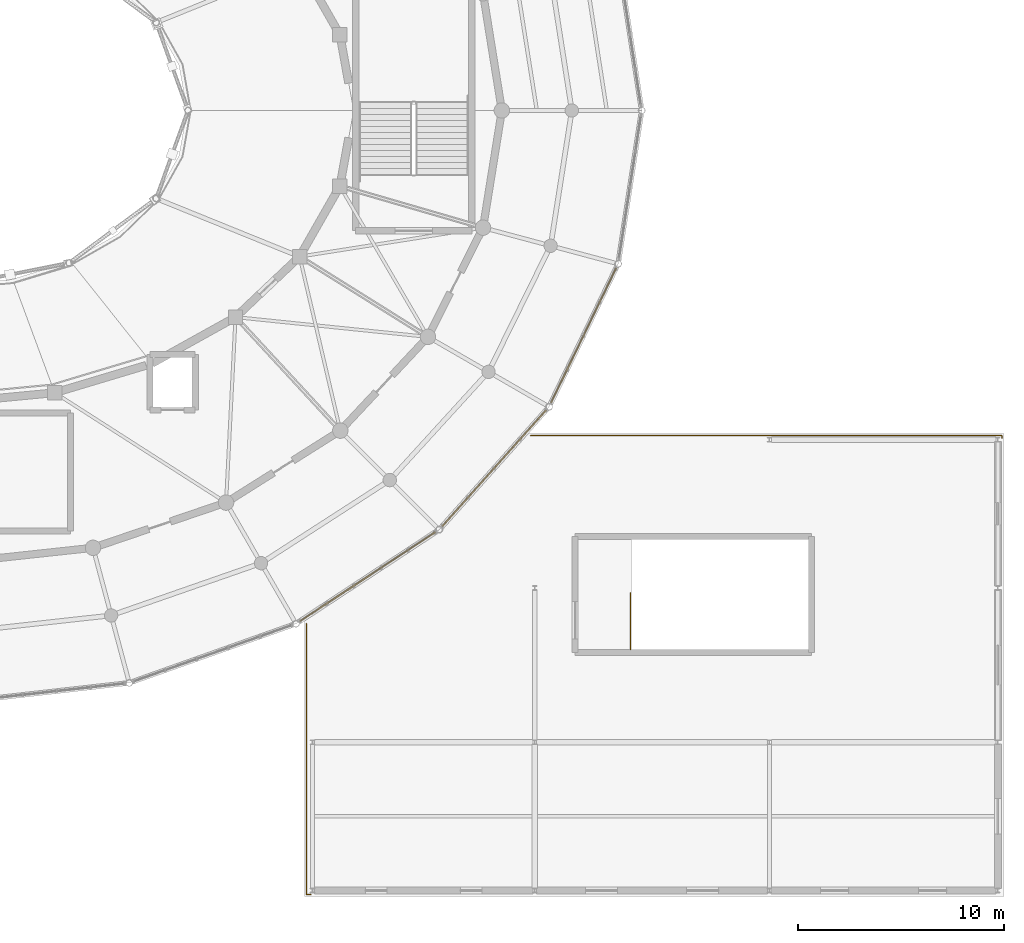
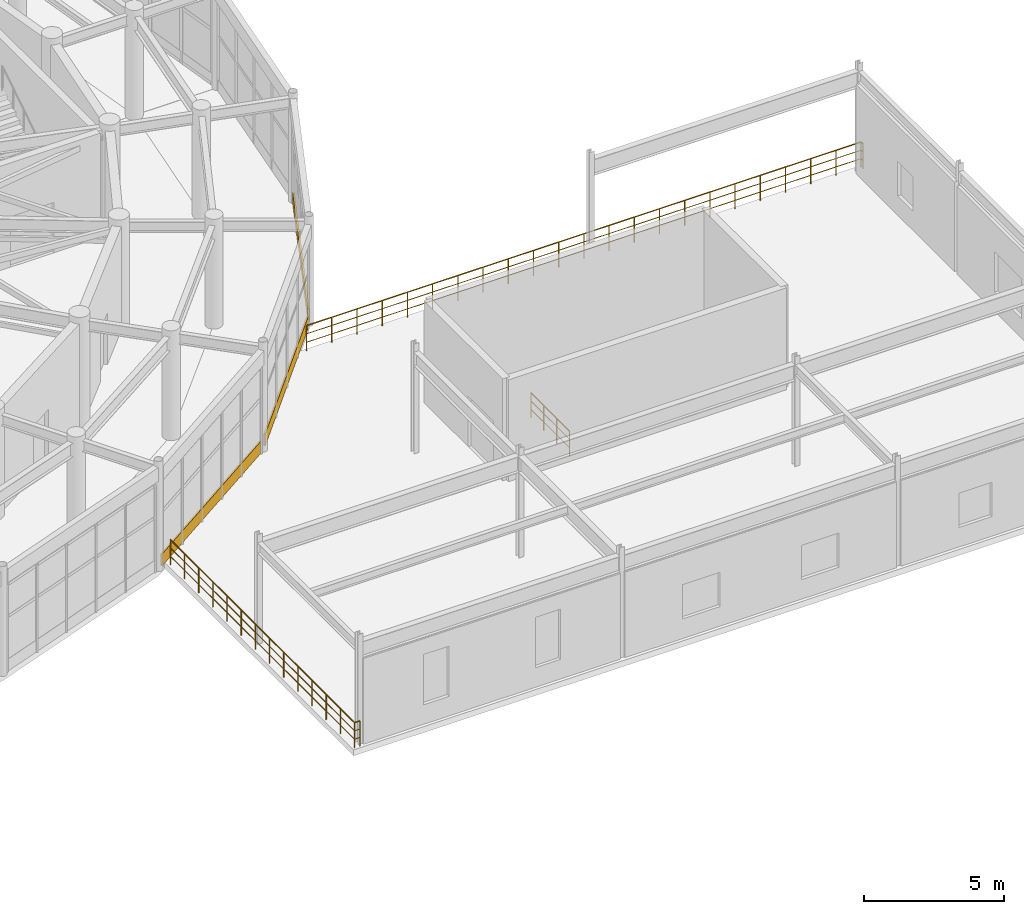
# One storey, part 142 of 144: 5 railings, 3 coverings.
"""IFC4 building model written with IfcOpenShell, lengths in metres."""

from ifc_helpers import new_model, si_unit, direction, frame, origin, origin_2d, place, context, subcontext, project, spatial, rectangle, circle, extrude, material, layer, layer_set, type_object, element, save


model = new_model("IFC4")

# Units and contexts
model_context = context("Model", 3, precision=1e-05, world=origin(), true_north=direction((0.0, 1.0)))
body_context = subcontext(model_context, "Body", "Model", "MODEL_VIEW")
ifc_project = project(units=[si_unit("LENGTHUNIT", "METRE"), si_unit("AREAUNIT", "SQUARE_METRE"), si_unit("VOLUMEUNIT", "CUBIC_METRE"), si_unit("PLANEANGLEUNIT", "RADIAN"), si_unit("MASSUNIT", "GRAM", prefix="KILO")], contexts=[model_context])

# Site, building, storey
site_placement = place(None, origin())
site = spatial("IfcSite", under=ifc_project, at=site_placement, CompositionType="ELEMENT")
building_placement = place(site_placement, origin())
building = spatial("IfcBuilding", under=site, at=building_placement, Name="Cinderbank Siding Concert Hall", CompositionType="ELEMENT")
storey_placement = place(building_placement, frame((0.0, 0.0, 5.39990234375)))
storey = spatial("IfcBuildingStorey", under=building, at=storey_placement, Name="L02", CompositionType="ELEMENT", Elevation=5.39990234375)

# Coverings
ifc_material_1 = material(Name="Spotted gum glulam timber GL18 (42 MPa)", Category="wood")
ifc_layer = layer(ifc_material_1, 0.06494140625)
ifc_layer_set = layer_set([ifc_layer], Name="Spotted gum glulam timber GL18 (42 MPa)")
covering_type = type_object("IfcCoveringType", Name="CL-01 Spotted Gum Spandrel Band 520mm", PredefinedType="CLADDING", material=ifc_layer_set)
covering_1_placement = place(storey_placement, frame((142.279296875, 21.346923828125, 0.0), z_axis=(0.0, 0.0, 1.0), x_axis=(0.835491932304, 0.549502712509, 0.0)))
element("IfcCovering", 1, at=covering_1_placement, inside=storey, type_object=covering_type, Name="CW-L02-021 Spotted Gum Spandrel Band", PredefinedType="CLADDING", context=body_context, shape_type="SweptSolid", body=[
    extrude(rectangle(XDim=7.875, YDim=0.06494140625, at=origin_2d()), origin(), (0.0, 0.0, 1.0), 0.52001953125),
])
covering_2_placement = place(storey_placement, frame((148.4287109375, 26.61767578125, 0.0), z_axis=(0.0, 0.0, 1.0), x_axis=(0.666993465338, 0.745063565877, 0.0)))
element("IfcCovering", 2, at=covering_2_placement, inside=storey, type_object=covering_type, Name="CW-L02-022 Spotted Gum Spandrel Band", PredefinedType="CLADDING", context=body_context, shape_type="SweptSolid", body=[
    extrude(rectangle(XDim=7.5517578125, YDim=0.06494140625, at=origin_2d()), origin(), (0.0, 0.0, 1.0), 0.52001953125),
])
covering_3_placement = place(storey_placement, frame((152.77685546875, 33.072998046875, 0.0), z_axis=(0.0, 0.0, 1.0), x_axis=(0.435102109714, 0.900381116041, 0.0)))
element("IfcCovering", 3, at=covering_3_placement, inside=storey, type_object=covering_type, Name="CW-L02-023 Spotted Gum Spandrel Band", PredefinedType="CLADDING", context=body_context, shape_type="SweptSolid", body=[
    extrude(rectangle(XDim=7.260498046875, YDim=0.06494140625, at=origin_2d()), origin(), (0.0, 0.0, 1.0), 0.52001953125),
])

# Railings
ifc_material_2 = material(Name="Structural steel AS/NZS 3679.1 Grade 350 (340 MPa)", Category="steel")
railing_type_1 = type_object("IfcRailingType", Name="GD-01 Terrace & Perimeter Guardrail 1120mm", PredefinedType="GUARDRAIL", material=ifc_material_2)
railing_1_placement = place(storey_placement, frame((150.194091796875, 28.199951171875, 0.0)))
element("IfcRailing", 4, at=railing_1_placement, inside=storey, type_object=railing_type_1, Name="L02 Perimeter Guardrail #40", PredefinedType="GUARDRAIL", context=body_context, shape_type="SweptSolid", body=[
    extrude(circle(Radius=0.02392578125, at=origin_2d()), frame((0.0, 0.0, 1.09619140625), z_axis=(1.0, 0.0, 0.0), x_axis=(0.0, 1.0, 0.0)), (0.0, 0.0, 1.0), 22.906005859375),
    extrude(circle(Radius=0.01611328125, at=origin_2d()), frame((0.0, 0.0, 0.36962890625), z_axis=(1.0, 0.0, 0.0), x_axis=(0.0, 1.0, 0.0)), (0.0, 0.0, 1.0), 22.906005859375),
    extrude(circle(Radius=0.01611328125, at=origin_2d()), frame((0.0, 0.0, 0.7392578125), z_axis=(1.0, 0.0, 0.0), x_axis=(0.0, 1.0, 0.0)), (0.0, 0.0, 1.0), 22.906005859375),
    extrude(circle(Radius=0.02099609375, at=origin_2d()), origin(), (0.0, 0.0, 1.0), 1.072021484375),
    extrude(circle(Radius=0.02099609375, at=origin_2d()), frame((1.041259765625, 0.0, 0.0)), (0.0, 0.0, 1.0), 1.072021484375),
    extrude(circle(Radius=0.02099609375, at=origin_2d()), frame((2.082275390625, 0.0, 0.0)), (0.0, 0.0, 1.0), 1.072021484375),
    extrude(circle(Radius=0.02099609375, at=origin_2d()), frame((3.12353515625, 0.0, 0.0)), (0.0, 0.0, 1.0), 1.072021484375),
    extrude(circle(Radius=0.02099609375, at=origin_2d()), frame((4.164794921875, 0.0, 0.0)), (0.0, 0.0, 1.0), 1.072021484375),
    extrude(circle(Radius=0.02099609375, at=origin_2d()), frame((5.205810546875, 0.0, 0.0)), (0.0, 0.0, 1.0), 1.072021484375),
    extrude(circle(Radius=0.02099609375, at=origin_2d()), frame((6.2470703125, 0.0, 0.0)), (0.0, 0.0, 1.0), 1.072021484375),
    extrude(circle(Radius=0.02099609375, at=origin_2d()), frame((7.288330078125, 0.0, 0.0)), (0.0, 0.0, 1.0), 1.072021484375),
    extrude(circle(Radius=0.02099609375, at=origin_2d()), frame((8.329345703125, 0.0, 0.0)), (0.0, 0.0, 1.0), 1.072021484375),
    extrude(circle(Radius=0.02099609375, at=origin_2d()), frame((9.37060546875, 0.0, 0.0)), (0.0, 0.0, 1.0), 1.072021484375),
    extrude(circle(Radius=0.02099609375, at=origin_2d()), frame((10.411865234375, 0.0, 0.0)), (0.0, 0.0, 1.0), 1.072021484375),
    extrude(circle(Radius=0.02099609375, at=origin_2d()), frame((11.453125, 0.0, 0.0)), (0.0, 0.0, 1.0), 1.072021484375),
    extrude(circle(Radius=0.02099609375, at=origin_2d()), frame((12.494140625, 0.0, 0.0)), (0.0, 0.0, 1.0), 1.072021484375),
    extrude(circle(Radius=0.02099609375, at=origin_2d()), frame((13.535400390625, 0.0, 0.0)), (0.0, 0.0, 1.0), 1.072021484375),
    extrude(circle(Radius=0.02099609375, at=origin_2d()), frame((14.57666015625, 0.0, 0.0)), (0.0, 0.0, 1.0), 1.072021484375),
    extrude(circle(Radius=0.02099609375, at=origin_2d()), frame((15.61767578125, 0.0, 0.0)), (0.0, 0.0, 1.0), 1.072021484375),
    extrude(circle(Radius=0.02099609375, at=origin_2d()), frame((16.658935546875, 0.0, 0.0)), (0.0, 0.0, 1.0), 1.072021484375),
    extrude(circle(Radius=0.02099609375, at=origin_2d()), frame((17.7001953125, 0.0, 0.0)), (0.0, 0.0, 1.0), 1.072021484375),
    extrude(circle(Radius=0.02099609375, at=origin_2d()), frame((18.7412109375, 0.0, 0.0)), (0.0, 0.0, 1.0), 1.072021484375),
    extrude(circle(Radius=0.02099609375, at=origin_2d()), frame((19.782470703125, 0.0, 0.0)), (0.0, 0.0, 1.0), 1.072021484375),
    extrude(circle(Radius=0.02099609375, at=origin_2d()), frame((20.82373046875, 0.0, 0.0)), (0.0, 0.0, 1.0), 1.072021484375),
    extrude(circle(Radius=0.02099609375, at=origin_2d()), frame((21.86474609375, 0.0, 0.0)), (0.0, 0.0, 1.0), 1.072021484375),
    extrude(circle(Radius=0.02099609375, at=origin_2d()), frame((22.906005859375, 0.0, 0.0)), (0.0, 0.0, 1.0), 1.072021484375),
])
railing_2_placement = place(storey_placement, frame((173.10009765625, 28.199951171875, 0.0)))
element("IfcRailing", 5, at=railing_2_placement, inside=storey, type_object=railing_type_1, Name="L02 Perimeter Guardrail #41", PredefinedType="GUARDRAIL", context=body_context, shape_type="SweptSolid", body=[
    extrude(circle(Radius=0.02392578125, at=origin_2d()), frame((0.0, 0.0, 1.09619140625), z_axis=(0.0, -1.0, 0.0), x_axis=(1.0, 0.0, 0.0)), (0.0, 0.0, 1.0), 0.121337890625),
    extrude(circle(Radius=0.01611328125, at=origin_2d()), frame((0.0, 0.0, 0.36962890625), z_axis=(0.0, -1.0, 0.0), x_axis=(1.0, 0.0, 0.0)), (0.0, 0.0, 1.0), 0.121337890625),
    extrude(circle(Radius=0.01611328125, at=origin_2d()), frame((0.0, 0.0, 0.7392578125), z_axis=(0.0, -1.0, 0.0), x_axis=(1.0, 0.0, 0.0)), (0.0, 0.0, 1.0), 0.121337890625),
    extrude(circle(Radius=0.02099609375, at=origin_2d()), origin(), (0.0, 0.0, 1.0), 1.072021484375),
    extrude(circle(Radius=0.02099609375, at=origin_2d()), frame((0.0, -0.121337890625, 0.0)), (0.0, 0.0, 1.0), 1.072021484375),
])
railing_3_placement = place(storey_placement, frame((139.521484375, 5.89990234375, 0.0)))
element("IfcRailing", 6, at=railing_3_placement, inside=storey, type_object=railing_type_1, Name="L02 Perimeter Guardrail #42", PredefinedType="GUARDRAIL", context=body_context, shape_type="SweptSolid", body=[
    extrude(circle(Radius=0.02392578125, at=origin_2d()), frame((0.0, 0.0, 1.09619140625), z_axis=(-1.0, 0.0, 0.0), x_axis=(0.0, -1.0, 0.0)), (0.0, 0.0, 1.0), 0.221435546875),
    extrude(circle(Radius=0.01611328125, at=origin_2d()), frame((0.0, 0.0, 0.36962890625), z_axis=(-1.0, 0.0, 0.0), x_axis=(0.0, -1.0, 0.0)), (0.0, 0.0, 1.0), 0.221435546875),
    extrude(circle(Radius=0.01611328125, at=origin_2d()), frame((0.0, 0.0, 0.7392578125), z_axis=(-1.0, 0.0, 0.0), x_axis=(0.0, -1.0, 0.0)), (0.0, 0.0, 1.0), 0.221435546875),
    extrude(circle(Radius=0.02099609375, at=origin_2d()), origin(), (0.0, 0.0, 1.0), 1.072021484375),
    extrude(circle(Radius=0.02099609375, at=origin_2d()), frame((-0.221435546875, 0.0, 0.0)), (0.0, 0.0, 1.0), 1.072021484375),
])
railing_4_placement = place(storey_placement, frame((139.300048828125, 5.89990234375, 0.0)))
element("IfcRailing", 7, at=railing_4_placement, inside=storey, type_object=railing_type_1, Name="L02 Perimeter Guardrail #43", PredefinedType="GUARDRAIL", context=body_context, shape_type="SweptSolid", body=[
    extrude(circle(Radius=0.02392578125, at=origin_2d()), frame((0.0, 0.0, 1.09619140625), z_axis=(0.0, 1.0, 0.0), x_axis=(-1.0, 0.0, 0.0)), (0.0, 0.0, 1.0), 13.17626953125),
    extrude(circle(Radius=0.01611328125, at=origin_2d()), frame((0.0, 0.0, 0.36962890625), z_axis=(0.0, 1.0, 0.0), x_axis=(-1.0, 0.0, 0.0)), (0.0, 0.0, 1.0), 13.17626953125),
    extrude(circle(Radius=0.01611328125, at=origin_2d()), frame((0.0, 0.0, 0.7392578125), z_axis=(0.0, 1.0, 0.0), x_axis=(-1.0, 0.0, 0.0)), (0.0, 0.0, 1.0), 13.17626953125),
    extrude(circle(Radius=0.02099609375, at=origin_2d()), origin(), (0.0, 0.0, 1.0), 1.072021484375),
    extrude(circle(Radius=0.02099609375, at=origin_2d()), frame((0.0, 1.013671875, 0.0)), (0.0, 0.0, 1.0), 1.072021484375),
    extrude(circle(Radius=0.02099609375, at=origin_2d()), frame((0.0, 2.027099609375, 0.0)), (0.0, 0.0, 1.0), 1.072021484375),
    extrude(circle(Radius=0.02099609375, at=origin_2d()), frame((0.0, 3.040771484375, 0.0)), (0.0, 0.0, 1.0), 1.072021484375),
    extrude(circle(Radius=0.02099609375, at=origin_2d()), frame((0.0, 4.05419921875, 0.0)), (0.0, 0.0, 1.0), 1.072021484375),
    extrude(circle(Radius=0.02099609375, at=origin_2d()), frame((0.0, 5.06787109375, 0.0)), (0.0, 0.0, 1.0), 1.072021484375),
    extrude(circle(Radius=0.02099609375, at=origin_2d()), frame((0.0, 6.081298828125, 0.0)), (0.0, 0.0, 1.0), 1.072021484375),
    extrude(circle(Radius=0.02099609375, at=origin_2d()), frame((0.0, 7.094970703125, 0.0)), (0.0, 0.0, 1.0), 1.072021484375),
    extrude(circle(Radius=0.02099609375, at=origin_2d()), frame((0.0, 8.1083984375, 0.0)), (0.0, 0.0, 1.0), 1.072021484375),
    extrude(circle(Radius=0.02099609375, at=origin_2d()), frame((0.0, 9.1220703125, 0.0)), (0.0, 0.0, 1.0), 1.072021484375),
    extrude(circle(Radius=0.02099609375, at=origin_2d()), frame((0.0, 10.135498046875, 0.0)), (0.0, 0.0, 1.0), 1.072021484375),
    extrude(circle(Radius=0.02099609375, at=origin_2d()), frame((0.0, 11.149169921875, 0.0)), (0.0, 0.0, 1.0), 1.072021484375),
    extrude(circle(Radius=0.02099609375, at=origin_2d()), frame((0.0, 12.16259765625, 0.0)), (0.0, 0.0, 1.0), 1.072021484375),
    extrude(circle(Radius=0.02099609375, at=origin_2d()), frame((0.0, 13.17626953125, 0.0)), (0.0, 0.0, 1.0), 1.072021484375),
])
railing_type_2 = type_object("IfcRailingType", Name="STG-01 Stair Well Guardrail 1120mm", PredefinedType="GUARDRAIL", material=ifc_material_2)
railing_5_placement = place(storey_placement, frame((155.050048828125, 17.800048828125, 0.0)))
element("IfcRailing", 8, at=railing_5_placement, inside=storey, type_object=railing_type_2, Name="L02 ST-10 top well guard 1", PredefinedType="GUARDRAIL", context=body_context, shape_type="SweptSolid", body=[
    extrude(circle(Radius=0.02392578125, at=origin_2d()), frame((0.0, 0.0, 1.09619140625), z_axis=(0.0, 1.0, 0.0), x_axis=(-1.0, 0.0, 0.0)), (0.0, 0.0, 1.0), 2.760009765625),
    extrude(circle(Radius=0.01611328125, at=origin_2d()), frame((0.0, 0.0, 0.36962890625), z_axis=(0.0, 1.0, 0.0), x_axis=(-1.0, 0.0, 0.0)), (0.0, 0.0, 1.0), 2.760009765625),
    extrude(circle(Radius=0.01611328125, at=origin_2d()), frame((0.0, 0.0, 0.7392578125), z_axis=(0.0, 1.0, 0.0), x_axis=(-1.0, 0.0, 0.0)), (0.0, 0.0, 1.0), 2.760009765625),
    extrude(circle(Radius=0.02099609375, at=origin_2d()), origin(), (0.0, 0.0, 1.0), 1.072021484375),
    extrude(circle(Radius=0.02099609375, at=origin_2d()), frame((0.0, 0.919921875, 0.0)), (0.0, 0.0, 1.0), 1.072021484375),
    extrude(circle(Radius=0.02099609375, at=origin_2d()), frame((0.0, 1.840087890625, 0.0)), (0.0, 0.0, 1.0), 1.072021484375),
    extrude(circle(Radius=0.02099609375, at=origin_2d()), frame((0.0, 2.760009765625, 0.0)), (0.0, 0.0, 1.0), 1.072021484375),
])

save(model, "model.ifc")
